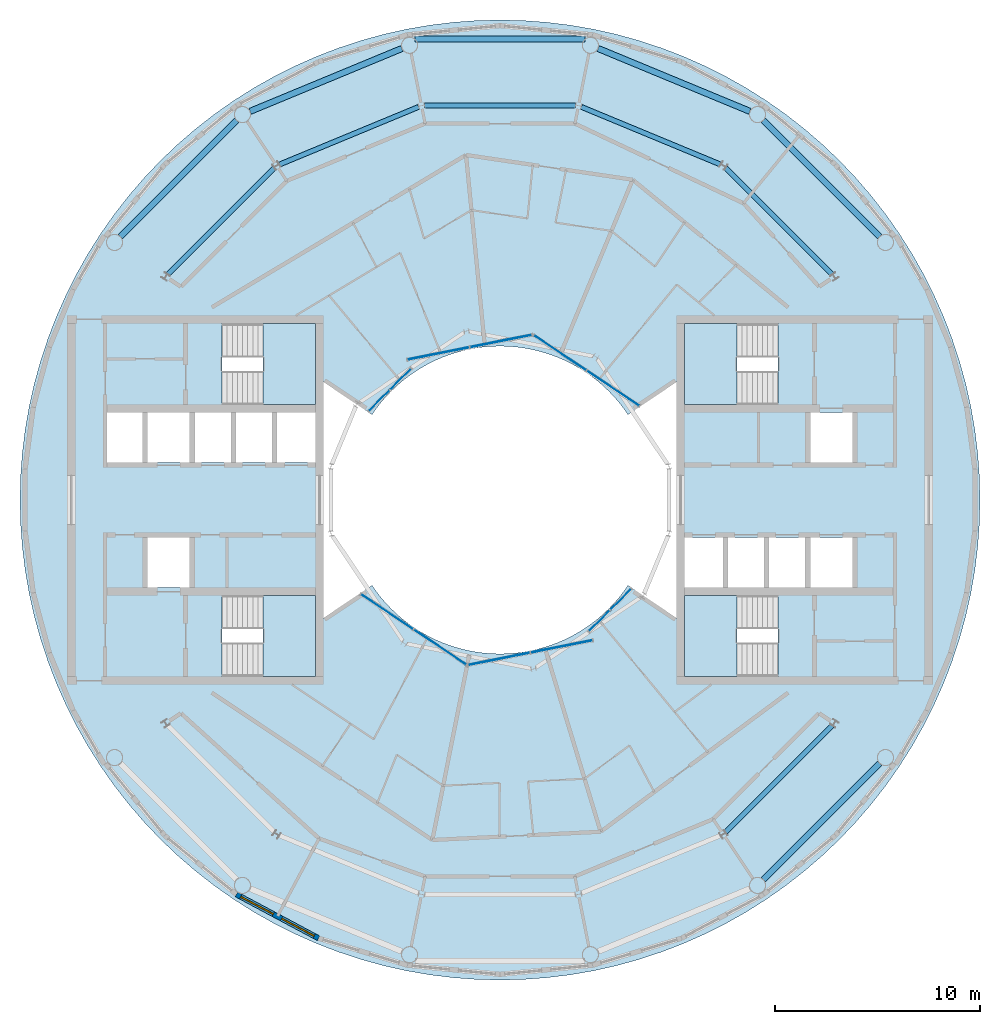
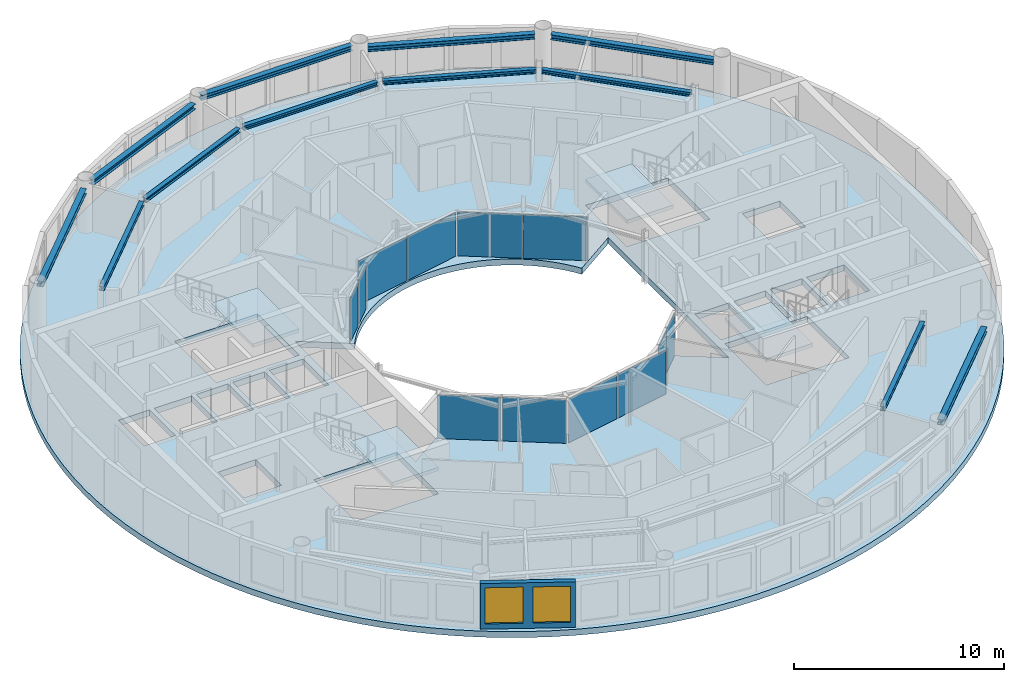
# One storey, part 7 of 17: 12 beams, 12 plates, 5 slabs, 2 windows, 1 wall, 2 openings, 10 elements without a shape of their own.
"""IFC4 building model written with IfcOpenShell, lengths in metres."""

from ifc_helpers import new_model, si_unit, direction, frame, frame_2d, origin, origin_2d, place, context, subcontext, project, spatial, polyline, rectangle, i_section, outline, extrude, material, layer, layer_set, material_profile, profile_set, type_object, element, fill, aggregate, save


model = new_model("IFC4")

# Units and contexts
model_context = context("Model", 3, precision=1e-05, world=origin(), true_north=direction((0.0, 1.0)))
body_context = subcontext(model_context, "Body", "Model", "MODEL_VIEW")
ifc_project = project(units=[si_unit("LENGTHUNIT", "METRE"), si_unit("AREAUNIT", "SQUARE_METRE"), si_unit("VOLUMEUNIT", "CUBIC_METRE"), si_unit("PLANEANGLEUNIT", "RADIAN"), si_unit("MASSUNIT", "GRAM", prefix="KILO")], contexts=[model_context])

# Site, building, storey
site_placement = place(None, origin())
site = spatial("IfcSite", under=ifc_project, at=site_placement, CompositionType="ELEMENT")
building_placement = place(site_placement, origin())
building = spatial("IfcBuilding", under=site, at=building_placement, Name="Maasbend Ring Residences", CompositionType="ELEMENT")
storey_placement = place(building_placement, frame((0.0, 0.0, 252.35009765625)))
storey = spatial("IfcBuildingStorey", under=building, at=storey_placement, Name="L73", CompositionType="ELEMENT", Elevation=252.35009765625)

# Beams
ifc_material_1 = material(Name="Steel S355J2", Category="steel")
ifc_material_profile_1 = material_profile(ifc_material_1, i_section(OverallWidth=0.239990234375, OverallDepth=0.22998046875, WebThickness=0.007568359375, FlangeThickness=0.011962890625, FilletRadius=0.02099609375, at=origin_2d()), Name="HEA 240")
ifc_profile_set_1 = profile_set([ifc_material_profile_1], Name="Steel S355J2")
beam_type_1 = type_object("IfcBeamType", Name="Corridor ring beam HEA 240", PredefinedType="BEAM", material=ifc_profile_set_1)
beam_1_placement = place(storey_placement, frame((16.188720703125, 10.997314453125, 2.534912109375), z_axis=(-0.707106781187, 0.707106781187, 0.0), x_axis=(-0.707106781187, -0.707106781187, 0.0)))
element("IfcBeam", 1, at=beam_1_placement, inside=storey, type_object=beam_type_1, Name="Corridor ring beam", PredefinedType="BEAM", context=body_context, shape_type="SweptSolid", body=[
    extrude(i_section(OverallWidth=0.239990234375, OverallDepth=0.22998046875, WebThickness=0.007568359375, FlangeThickness=0.011962890625, FilletRadius=0.02099609375, at=origin_2d()), origin(), (0.0, 0.0, 1.0), 7.341796875),
])
beam_2_placement = place(storey_placement, frame((10.747802734375, 16.355224609375, 2.534912109375), z_axis=(-0.923875784142, 0.382692481603, 0.0), x_axis=(-0.382692481603, -0.923875784142, 0.0)))
element("IfcBeam", 2, at=beam_2_placement, inside=storey, type_object=beam_type_1, Name="Corridor ring beam", PredefinedType="BEAM", context=body_context, shape_type="SweptSolid", body=[
    extrude(i_section(OverallWidth=0.239990234375, OverallDepth=0.22998046875, WebThickness=0.007568359375, FlangeThickness=0.011962890625, FilletRadius=0.02099609375, at=origin_2d()), origin(), (0.0, 0.0, 1.0), 7.341552734375),
])
beam_3_placement = place(storey_placement, frame((3.6708984375, 19.223388671875, 2.534912109375), z_axis=(-1.0, 0.0, 0.0), x_axis=(0.0, -1.0, 0.0)))
element("IfcBeam", 3, at=beam_3_placement, inside=storey, type_object=beam_type_1, Name="Corridor ring beam", PredefinedType="BEAM", context=body_context, shape_type="SweptSolid", body=[
    extrude(i_section(OverallWidth=0.239990234375, OverallDepth=0.22998046875, WebThickness=0.007568359375, FlangeThickness=0.011962890625, FilletRadius=0.02099609375, at=origin_2d()), origin(), (0.0, 0.0, 1.0), 7.341796875),
])
beam_4_placement = place(storey_placement, frame((-3.965087890625, 19.164794921875, 2.534912109375), z_axis=(-0.923875784142, -0.382692481603, 0.0), x_axis=(0.382692481603, -0.923875784142, 0.0)))
element("IfcBeam", 4, at=beam_4_placement, inside=storey, type_object=beam_type_1, Name="Corridor ring beam", PredefinedType="BEAM", context=body_context, shape_type="SweptSolid", body=[
    extrude(i_section(OverallWidth=0.239990234375, OverallDepth=0.22998046875, WebThickness=0.007568359375, FlangeThickness=0.011962890625, FilletRadius=0.02099609375, at=origin_2d()), origin(), (0.0, 0.0, 1.0), 7.341552734375),
])
for number, where, z_axis, x_axis, name in (
    (5, (-10.997314453125, 16.188720703125, 2.534912109375), (-0.707106781187, -0.707106781187, 0.0), (0.707106781187, -0.707106781187, 0.0), "Corridor ring beam"),
    (6, (10.997314453125, -16.188720703125, 2.534912109375), (0.707106781187, 0.707106781187, 0.0), (-0.707106781187, 0.707106781187, 0.0), "Corridor ring beam"),
):
    element("IfcBeam", number, at=place(storey_placement, frame(where, z_axis=z_axis, x_axis=x_axis)), inside=storey, type_object=beam_type_1, Name=name, PredefinedType="BEAM", context=body_context, shape_type="SweptSolid", body=[
        extrude(i_section(OverallWidth=0.239990234375, OverallDepth=0.22998046875, WebThickness=0.007568359375, FlangeThickness=0.011962890625, FilletRadius=0.02099609375, at=origin_2d()), origin(), (0.0, 0.0, 1.0), 7.341796875),
    ])
ifc_material_2 = material(Name="Steel S355J2", Category="steel")
ifc_material_profile_2 = material_profile(ifc_material_2, i_section(OverallWidth=0.300048828125, OverallDepth=0.300048828125, WebThickness=0.010986328125, FlangeThickness=0.01904296875, FilletRadius=0.027099609375, at=origin_2d()), Name="HEB 300")
ifc_profile_set_2 = profile_set([ifc_material_profile_2], Name="Steel S355J2")
beam_type_2 = type_object("IfcBeamType", Name="Spandrel ring beam HEB 300", PredefinedType="SPANDREL", material=ifc_profile_set_2)
beam_5_placement = place(storey_placement, frame((18.50390625, 12.84326171875, 2.5), z_axis=(-0.707106781187, 0.707106781187, 0.0), x_axis=(-0.707106781187, -0.707106781187, 0.0)))
element("IfcBeam", 7, at=beam_5_placement, inside=storey, type_object=beam_type_2, Name="Spandrel ring beam", PredefinedType="SPANDREL", context=body_context, shape_type="SweptSolid", body=[
    extrude(i_section(OverallWidth=0.300048828125, OverallDepth=0.300048828125, WebThickness=0.010986328125, FlangeThickness=0.01904296875, FilletRadius=0.027099609375, at=origin_2d()), origin(), (0.0, 0.0, 1.0), 8.00537109375),
])
beam_6_placement = place(storey_placement, frame((12.180419921875, 18.94677734375, 2.5), z_axis=(-0.923887850638, 0.382663350013, 0.0), x_axis=(-0.382663350013, -0.923887850638, 0.0)))
element("IfcBeam", 8, at=beam_6_placement, inside=storey, type_object=beam_type_2, Name="Spandrel ring beam", PredefinedType="SPANDREL", context=body_context, shape_type="SweptSolid", body=[
    extrude(i_section(OverallWidth=0.300048828125, OverallDepth=0.300048828125, WebThickness=0.010986328125, FlangeThickness=0.01904296875, FilletRadius=0.027099609375, at=origin_2d()), origin(), (0.0, 0.0, 1.0), 8.005126953125),
])
beam_7_placement = place(storey_placement, frame((4.152587890625, 22.4658203125, 2.5), z_axis=(-1.0, 0.0, 0.0), x_axis=(0.0, -1.0, 0.0)))
element("IfcBeam", 9, at=beam_7_placement, inside=storey, type_object=beam_type_2, Name="Spandrel ring beam", PredefinedType="SPANDREL", context=body_context, shape_type="SweptSolid", body=[
    extrude(i_section(OverallWidth=0.300048828125, OverallDepth=0.300048828125, WebThickness=0.010986328125, FlangeThickness=0.01904296875, FilletRadius=0.027099609375, at=origin_2d()), origin(), (0.0, 0.0, 1.0), 8.30517578125),
])
beam_8_placement = place(storey_placement, frame((-4.78466796875, 22.010009765625, 2.5), z_axis=(-0.923887850638, -0.382663350013, 0.0), x_axis=(0.382663350013, -0.923887850638, 0.0)))
element("IfcBeam", 10, at=beam_8_placement, inside=storey, type_object=beam_type_2, Name="Spandrel ring beam", PredefinedType="SPANDREL", context=body_context, shape_type="SweptSolid", body=[
    extrude(i_section(OverallWidth=0.300048828125, OverallDepth=0.300048828125, WebThickness=0.010986328125, FlangeThickness=0.01904296875, FilletRadius=0.027099609375, at=origin_2d()), origin(), (0.0, 0.0, 1.0), 8.005126953125),
])
for number, where, z_axis, x_axis, name in (
    (11, (-12.84326171875, 18.50390625, 2.5), (-0.707106781187, -0.707106781187, 0.0), (0.707106781187, -0.707106781187, 0.0), "Spandrel ring beam"),
    (12, (12.84326171875, -18.50390625, 2.5), (0.707106781187, 0.707106781187, 0.0), (-0.707106781187, 0.707106781187, 0.0), "Spandrel ring beam"),
):
    element("IfcBeam", number, at=place(storey_placement, frame(where, z_axis=z_axis, x_axis=x_axis)), inside=storey, type_object=beam_type_2, Name=name, PredefinedType="SPANDREL", context=body_context, shape_type="SweptSolid", body=[
        extrude(i_section(OverallWidth=0.300048828125, OverallDepth=0.300048828125, WebThickness=0.010986328125, FlangeThickness=0.01904296875, FilletRadius=0.027099609375, at=origin_2d()), origin(), (0.0, 0.0, 1.0), 8.00537109375),
    ])

# Stair, slab
ifc_material_3 = material(Name="Concrete C40/50", Category="concrete")
stair_type = type_object("IfcStairType", Name="CORE STAIR 18 RISERS", PredefinedType="HALF_TURN_STAIR", material=ifc_material_3)
stair_1_placement = place(storey_placement, origin())
stair_1 = element("IfcStair", 13, at=stair_1_placement, inside=storey, type_object=stair_type, Name="L73 Exit stair ST-E1", PredefinedType="HALF_TURN_STAIR")
ifc_material_4 = material(Name="Concrete C40/50", Category="concrete")
ifc_layer_1 = layer(ifc_material_4, 0.199951171875)
ifc_layer_set_1 = layer_set([ifc_layer_1], Name="Concrete C40/50")
slab_type_1 = type_object("IfcSlabType", Name="CORE STAIR LANDING 200", PredefinedType="LANDING", material=ifc_layer_set_1)
slab_1_placement = place(storey_placement, frame((0.0, 0.0, 1.324951171875)))
slab_1 = element("IfcSlab", 14, at=slab_1_placement, type_object=slab_type_1, Name="ST-E1 landing 1", PredefinedType="LANDING", context=body_context, shape_type="SweptSolid", body=[
    extrude(outline(polyline([(11.550048828125, 8.60009765625), (9.0, 8.60009765625), (9.0, 4.64990234375), (11.550048828125, 4.64990234375), (11.550048828125, 8.60009765625)])), origin(), (0.0, 0.0, 1.0), 0.199951171875),
])
aggregate(stair_1, [slab_1])

stair_2_placement = place(storey_placement, origin())
stair_2 = element("IfcStair", 15, at=stair_2_placement, inside=storey, type_object=stair_type, Name="L73 Exit stair ST-E2", PredefinedType="HALF_TURN_STAIR")
slab_2_placement = place(storey_placement, frame((0.0, 0.0, 1.324951171875)))
slab_2 = element("IfcSlab", 16, at=slab_2_placement, type_object=slab_type_1, Name="ST-E2 landing 1", PredefinedType="LANDING", context=body_context, shape_type="SweptSolid", body=[
    extrude(outline(polyline([(11.550048828125, -4.64990234375), (9.0, -4.64990234375), (9.0, -8.60009765625), (11.550048828125, -8.60009765625), (11.550048828125, -4.64990234375)])), origin(), (0.0, 0.0, 1.0), 0.199951171875),
])
aggregate(stair_2, [slab_2])

stair_3_placement = place(storey_placement, origin())
stair_3 = element("IfcStair", 17, at=stair_3_placement, inside=storey, type_object=stair_type, Name="L73 Exit stair ST-W1", PredefinedType="HALF_TURN_STAIR")
slab_3_placement = place(storey_placement, frame((0.0, 0.0, 1.324951171875)))
slab_3 = element("IfcSlab", 18, at=slab_3_placement, type_object=slab_type_1, Name="ST-W1 landing 1", PredefinedType="LANDING", context=body_context, shape_type="SweptSolid", body=[
    extrude(outline(polyline([(-11.550048828125, -8.60009765625), (-9.0, -8.60009765625), (-9.0, -4.64990234375), (-11.550048828125, -4.64990234375), (-11.550048828125, -8.60009765625)])), origin(), (0.0, 0.0, 1.0), 0.199951171875),
])
aggregate(stair_3, [slab_3])

stair_4_placement = place(storey_placement, origin())
stair_4 = element("IfcStair", 19, at=stair_4_placement, inside=storey, type_object=stair_type, Name="L73 Exit stair ST-W2", PredefinedType="HALF_TURN_STAIR")
slab_4_placement = place(storey_placement, frame((0.0, 0.0, 1.324951171875)))
slab_4 = element("IfcSlab", 20, at=slab_4_placement, type_object=slab_type_1, Name="ST-W2 landing 1", PredefinedType="LANDING", context=body_context, shape_type="SweptSolid", body=[
    extrude(outline(polyline([(-11.550048828125, 4.64990234375), (-9.0, 4.64990234375), (-9.0, 8.60009765625), (-11.550048828125, 8.60009765625), (-11.550048828125, 4.64990234375)])), origin(), (0.0, 0.0, 1.0), 0.199951171875),
])
aggregate(stair_4, [slab_4])

# Curtain wall, plates
ifc_material_5 = material(Name="Aluminium and clear glass", Category="aluminium")
ifc_layer_2 = layer(ifc_material_5, 0.179931640625)
ifc_layer_set_2 = layer_set([ifc_layer_2], Name="CW-W")
curtain_wall_type = type_object("IfcCurtainWallType", Name="CW-W", PredefinedType="NOTDEFINED", material=ifc_layer_set_2)
curtain_wall_1_placement = place(storey_placement, origin())
curtain_wall_1 = element("IfcCurtainWall", 21, at=curtain_wall_1_placement, inside=storey, type_object=curtain_wall_type, Name="Well curtain wall N1", PredefinedType="NOTDEFINED")
ifc_material_6 = material(Name="Glass clear laminated", Category="glass")
ifc_layer_3 = layer(ifc_material_6, 0.031982421875)
ifc_layer_set_3 = layer_set([ifc_layer_3], Name="CWP-W")
plate_type = type_object("IfcPlateType", Name="CWP-W", PredefinedType="CURTAIN_PANEL", material=ifc_layer_set_3)
plate_1_placement = place(storey_placement, frame((5.51123046875, 5.44580078125, 0.0), z_axis=(0.0, 0.0, 1.0), x_axis=(-0.831469612303, 0.55557023302, 0.0)))
plate_1 = element("IfcPlate", 22, at=plate_1_placement, type_object=plate_type, Name="Glass panel well face", PredefinedType="CURTAIN_PANEL", context=body_context, shape_type="SweptSolid", body=[
    extrude(rectangle(XDim=3.053955078125, YDim=0.031982421875, at=origin_2d()), origin(), (0.0, 0.0, 1.0), 2.530029296875),
])
plate_2_placement = place(storey_placement, frame((2.922119140625, 7.17578125, 0.0), z_axis=(0.0, 0.0, 1.0), x_axis=(-0.831469612303, 0.55557023302, 0.0)))
plate_2 = element("IfcPlate", 23, at=plate_2_placement, type_object=plate_type, Name="Glass panel well face", PredefinedType="CURTAIN_PANEL", context=body_context, shape_type="SweptSolid", body=[
    extrude(rectangle(XDim=3.053955078125, YDim=0.031982421875, at=origin_2d()), origin(), (0.0, 0.0, 1.0), 2.530029296875),
])
aggregate(curtain_wall_1, [plate_1, plate_2])

curtain_wall_2_placement = place(storey_placement, origin())
curtain_wall_2 = element("IfcCurtainWall", 24, at=curtain_wall_2_placement, inside=storey, type_object=curtain_wall_type, Name="Well curtain wall N2", PredefinedType="NOTDEFINED")
plate_3_placement = place(storey_placement, frame((0.04638671875, 7.747802734375, 0.0), z_axis=(0.0, 0.0, 1.0), x_axis=(-0.980785280403, -0.195090322016, 0.0)))
plate_3 = element("IfcPlate", 25, at=plate_3_placement, type_object=plate_type, Name="Glass panel well face", PredefinedType="CURTAIN_PANEL", context=body_context, shape_type="SweptSolid", body=[
    extrude(rectangle(XDim=3.053955078125, YDim=0.031982421875, at=origin_2d()), origin(), (0.0, 0.0, 1.0), 2.530029296875),
])
plate_4_placement = place(storey_placement, frame((-3.0078125, 7.140380859375, 0.0), z_axis=(0.0, 0.0, 1.0), x_axis=(-0.980785280403, -0.195090322016, 0.0)))
plate_4 = element("IfcPlate", 26, at=plate_4_placement, type_object=plate_type, Name="Glass panel well face", PredefinedType="CURTAIN_PANEL", context=body_context, shape_type="SweptSolid", body=[
    extrude(rectangle(XDim=3.053955078125, YDim=0.031982421875, at=origin_2d()), origin(), (0.0, 0.0, 1.0), 2.530029296875),
])
aggregate(curtain_wall_2, [plate_3, plate_4])

curtain_wall_3_placement = place(storey_placement, origin())
curtain_wall_3 = element("IfcCurtainWall", 27, at=curtain_wall_3_placement, inside=storey, type_object=curtain_wall_type, Name="Well curtain wall N3", PredefinedType="NOTDEFINED")
plate_5_placement = place(storey_placement, frame((-4.84375, 5.89013671875, 0.0), z_axis=(0.0, 0.0, 1.0), x_axis=(-0.707106781187, -0.707106781187, 0.0)))
plate_5 = element("IfcPlate", 28, at=plate_5_placement, type_object=plate_type, Name="Glass panel well face", PredefinedType="CURTAIN_PANEL", context=body_context, shape_type="SweptSolid", body=[
    extrude(rectangle(XDim=1.419677734375, YDim=0.031982421875, at=origin_2d()), origin(), (0.0, 0.0, 1.0), 2.530029296875),
])
plate_6_placement = place(storey_placement, frame((-5.89013671875, 4.84375, 0.0), z_axis=(0.0, 0.0, 1.0), x_axis=(-0.707106781187, -0.707106781187, 0.0)))
plate_6 = element("IfcPlate", 29, at=plate_6_placement, type_object=plate_type, Name="Glass panel well face", PredefinedType="CURTAIN_PANEL", context=body_context, shape_type="SweptSolid", body=[
    extrude(rectangle(XDim=1.419677734375, YDim=0.031982421875, at=origin_2d()), origin(), (0.0, 0.0, 1.0), 2.530029296875),
])
aggregate(curtain_wall_3, [plate_5, plate_6])

curtain_wall_4_placement = place(storey_placement, origin())
curtain_wall_4 = element("IfcCurtainWall", 30, at=curtain_wall_4_placement, inside=storey, type_object=curtain_wall_type, Name="Well curtain wall S1", PredefinedType="NOTDEFINED")
plate_7_placement = place(storey_placement, frame((-5.51123046875, -5.44580078125, 0.0), z_axis=(0.0, 0.0, 1.0), x_axis=(0.831469612303, -0.55557023302, 0.0)))
plate_7 = element("IfcPlate", 31, at=plate_7_placement, type_object=plate_type, Name="Glass panel well face", PredefinedType="CURTAIN_PANEL", context=body_context, shape_type="SweptSolid", body=[
    extrude(rectangle(XDim=3.053955078125, YDim=0.031982421875, at=origin_2d()), origin(), (0.0, 0.0, 1.0), 2.530029296875),
])
plate_8_placement = place(storey_placement, frame((-2.922119140625, -7.17578125, 0.0), z_axis=(0.0, 0.0, 1.0), x_axis=(0.831469612303, -0.55557023302, 0.0)))
plate_8 = element("IfcPlate", 32, at=plate_8_placement, type_object=plate_type, Name="Glass panel well face", PredefinedType="CURTAIN_PANEL", context=body_context, shape_type="SweptSolid", body=[
    extrude(rectangle(XDim=3.053955078125, YDim=0.031982421875, at=origin_2d()), origin(), (0.0, 0.0, 1.0), 2.530029296875),
])
aggregate(curtain_wall_4, [plate_7, plate_8])

curtain_wall_5_placement = place(storey_placement, origin())
curtain_wall_5 = element("IfcCurtainWall", 33, at=curtain_wall_5_placement, inside=storey, type_object=curtain_wall_type, Name="Well curtain wall S2", PredefinedType="NOTDEFINED")
plate_9_placement = place(storey_placement, frame((-0.04638671875, -7.747802734375, 0.0), z_axis=(0.0, 0.0, 1.0), x_axis=(0.980785280403, 0.195090322016, 0.0)))
plate_9 = element("IfcPlate", 34, at=plate_9_placement, type_object=plate_type, Name="Glass panel well face", PredefinedType="CURTAIN_PANEL", context=body_context, shape_type="SweptSolid", body=[
    extrude(rectangle(XDim=3.053955078125, YDim=0.031982421875, at=origin_2d()), origin(), (0.0, 0.0, 1.0), 2.530029296875),
])
plate_10_placement = place(storey_placement, frame((3.0078125, -7.140380859375, 0.0), z_axis=(0.0, 0.0, 1.0), x_axis=(0.980785280403, 0.195090322016, 0.0)))
plate_10 = element("IfcPlate", 35, at=plate_10_placement, type_object=plate_type, Name="Glass panel well face", PredefinedType="CURTAIN_PANEL", context=body_context, shape_type="SweptSolid", body=[
    extrude(rectangle(XDim=3.053955078125, YDim=0.031982421875, at=origin_2d()), origin(), (0.0, 0.0, 1.0), 2.530029296875),
])
aggregate(curtain_wall_5, [plate_9, plate_10])

curtain_wall_6_placement = place(storey_placement, origin())
curtain_wall_6 = element("IfcCurtainWall", 36, at=curtain_wall_6_placement, inside=storey, type_object=curtain_wall_type, Name="Well curtain wall S3", PredefinedType="NOTDEFINED")
plate_11_placement = place(storey_placement, frame((4.84375, -5.89013671875, 0.0), z_axis=(0.0, 0.0, 1.0), x_axis=(0.707106781187, 0.707106781187, 0.0)))
plate_11 = element("IfcPlate", 37, at=plate_11_placement, type_object=plate_type, Name="Glass panel well face", PredefinedType="CURTAIN_PANEL", context=body_context, shape_type="SweptSolid", body=[
    extrude(rectangle(XDim=1.419677734375, YDim=0.031982421875, at=origin_2d()), origin(), (0.0, 0.0, 1.0), 2.530029296875),
])
plate_12_placement = place(storey_placement, frame((5.89013671875, -4.84375, 0.0), z_axis=(0.0, 0.0, 1.0), x_axis=(0.707106781187, 0.707106781187, 0.0)))
plate_12 = element("IfcPlate", 38, at=plate_12_placement, type_object=plate_type, Name="Glass panel well face", PredefinedType="CURTAIN_PANEL", context=body_context, shape_type="SweptSolid", body=[
    extrude(rectangle(XDim=1.419677734375, YDim=0.031982421875, at=origin_2d()), origin(), (0.0, 0.0, 1.0), 2.530029296875),
])
aggregate(curtain_wall_6, [plate_11, plate_12])

# Slab
ifc_material_7 = material(Name="Concrete C40/50", Category="concrete")
ifc_layer_4 = layer(ifc_material_7, 0.35009765625)
ifc_layer_set_4 = layer_set([ifc_layer_4], Name="Concrete C40/50")
slab_type_2 = type_object("IfcSlabType", Name="Post-tensioned flat plate 350", PredefinedType="FLOOR", material=ifc_layer_set_4)
slab_5_placement = place(storey_placement, frame((0.0, 0.0, -0.35009765625)))
element("IfcSlab", 39, at=slab_5_placement, inside=storey, type_object=slab_type_2, Name="Floor slab L73", PredefinedType="FLOOR", context=body_context, shape_type="SweptSolid", body=[
    extrude(outline(polyline([(22.69873046875, -5.685791015625), (22.950439453125, -4.565185546875), (23.146728515625, -3.43359375), (23.287353515625, -2.293701171875), (23.371826171875, -1.148193359375), (23.39990234375, 0.0), (23.371826171875, 1.148193359375), (23.287353515625, 2.293701171875), (23.146728515625, 3.43359375), (22.950439453125, 4.565185546875), (22.69873046875, 5.685791015625), (22.392333984375, 6.792724609375), (22.031982421875, 7.88330078125), (21.618896484375, 8.954833984375), (21.1533203125, 10.0048828125), (20.636962890625, 11.03076171875), (20.07080078125, 12.030029296875), (19.456298828125, 13.000244140625), (18.795166015625, 13.939453125), (18.08837890625, 14.8447265625), (17.33837890625, 15.714599609375), (16.54638671875, 16.54638671875), (15.714599609375, 17.33837890625), (14.8447265625, 18.08837890625), (13.939453125, 18.795166015625), (13.000244140625, 19.456298828125), (12.030029296875, 20.07080078125), (11.03076171875, 20.636962890625), (10.0048828125, 21.1533203125), (8.954833984375, 21.618896484375), (7.88330078125, 22.031982421875), (6.792724609375, 22.392333984375), (5.685791015625, 22.69873046875), (4.565185546875, 22.950439453125), (3.43359375, 23.146728515625), (2.293701171875, 23.287353515625), (1.148193359375, 23.371826171875), (0.0, 23.39990234375), (-1.148193359375, 23.371826171875), (-2.293701171875, 23.287353515625), (-3.43359375, 23.146728515625), (-4.565185546875, 22.950439453125), (-5.685791015625, 22.69873046875), (-6.792724609375, 22.392333984375), (-7.88330078125, 22.031982421875), (-8.954833984375, 21.618896484375), (-10.0048828125, 21.1533203125), (-11.03076171875, 20.636962890625), (-12.030029296875, 20.07080078125), (-13.000244140625, 19.456298828125), (-13.939453125, 18.795166015625), (-14.8447265625, 18.08837890625), (-15.714599609375, 17.33837890625), (-16.54638671875, 16.54638671875), (-17.33837890625, 15.714599609375), (-18.08837890625, 14.8447265625), (-18.795166015625, 13.939453125), (-19.456298828125, 13.000244140625), (-20.07080078125, 12.030029296875), (-20.636962890625, 11.03076171875), (-21.1533203125, 10.0048828125), (-21.618896484375, 8.954833984375), (-22.031982421875, 7.88330078125), (-22.392333984375, 6.792724609375), (-22.69873046875, 5.685791015625), (-22.950439453125, 4.565185546875), (-23.146728515625, 3.43359375), (-23.287353515625, 2.293701171875), (-23.371826171875, 1.148193359375), (-23.39990234375, 0.0), (-23.371826171875, -1.148193359375), (-23.287353515625, -2.293701171875), (-23.146728515625, -3.43359375), (-22.950439453125, -4.565185546875), (-22.69873046875, -5.685791015625), (-22.392333984375, -6.792724609375), (-22.031982421875, -7.88330078125), (-21.618896484375, -8.954833984375), (-21.1533203125, -10.0048828125), (-20.636962890625, -11.03076171875), (-20.07080078125, -12.030029296875), (-19.456298828125, -13.000244140625), (-18.795166015625, -13.939453125), (-18.08837890625, -14.8447265625), (-17.33837890625, -15.714599609375), (-16.54638671875, -16.54638671875), (-15.714599609375, -17.33837890625), (-14.8447265625, -18.08837890625), (-13.939453125, -18.795166015625), (-13.000244140625, -19.456298828125), (-12.030029296875, -20.07080078125), (-11.03076171875, -20.636962890625), (-10.0048828125, -21.1533203125), (-8.954833984375, -21.618896484375), (-7.88330078125, -22.031982421875), (-6.792724609375, -22.392333984375), (-5.685791015625, -22.69873046875), (-4.565185546875, -22.950439453125), (-3.43359375, -23.146728515625), (-2.293701171875, -23.287353515625), (-1.148193359375, -23.371826171875), (0.0, -23.39990234375), (1.148193359375, -23.371826171875), (2.293701171875, -23.287353515625), (3.43359375, -23.146728515625), (4.565185546875, -22.950439453125), (5.685791015625, -22.69873046875), (6.792724609375, -22.392333984375), (7.88330078125, -22.031982421875), (8.954833984375, -21.618896484375), (10.0048828125, -21.1533203125), (11.03076171875, -20.636962890625), (12.030029296875, -20.07080078125), (13.000244140625, -19.456298828125), (13.939453125, -18.795166015625), (14.8447265625, -18.08837890625), (15.714599609375, -17.33837890625), (16.54638671875, -16.54638671875), (17.33837890625, -15.714599609375), (18.08837890625, -14.8447265625), (18.795166015625, -13.939453125), (19.456298828125, -13.000244140625), (20.07080078125, -12.030029296875), (20.636962890625, -11.03076171875), (21.1533203125, -10.0048828125), (21.618896484375, -8.954833984375), (22.031982421875, -7.88330078125), (22.392333984375, -6.792724609375), (22.69873046875, -5.685791015625)]), holes=[polyline([(15.125, 1.824951171875), (15.125, 4.27490234375), (17.175048828125, 4.27490234375), (17.175048828125, 1.824951171875), (15.125, 1.824951171875)]), polyline([(15.125, -4.27490234375), (15.125, -1.824951171875), (17.175048828125, -1.824951171875), (17.175048828125, -4.27490234375), (15.125, -4.27490234375)]), polyline([(13.125, -4.27490234375), (13.125, -1.824951171875), (14.875, -1.824951171875), (14.875, -4.27490234375), (13.125, -4.27490234375)]), polyline([(13.550048828125, 8.60009765625), (13.550048828125, 4.64990234375), (9.0, 4.64990234375), (9.0, 8.60009765625), (13.550048828125, 8.60009765625)]), polyline([(13.550048828125, -4.64990234375), (13.550048828125, -8.60009765625), (9.0, -8.60009765625), (9.0, -4.64990234375), (13.550048828125, -4.64990234375)]), polyline([(11.125, -4.27490234375), (11.125, -1.824951171875), (12.875, -1.824951171875), (12.875, -4.27490234375), (11.125, -4.27490234375)]), polyline([(9.0, -4.27490234375), (9.0, -1.824951171875), (10.875, -1.824951171875), (10.875, -4.27490234375), (9.0, -4.27490234375)]), polyline([(6.024169921875, 4.4677734375), (6.236083984375, 4.166748046875), (8.60009765625, 5.746337890625), (8.60009765625, -5.746337890625), (6.236083984375, -4.166748046875), (6.024169921875, -4.4677734375), (5.797607421875, -4.7578125), (5.55712890625, -5.03662109375), (5.30322265625, -5.30322265625), (5.03662109375, -5.55712890625), (4.7578125, -5.797607421875), (4.4677734375, -6.024169921875), (4.166748046875, -6.236083984375), (3.855712890625, -6.43310546875), (3.535400390625, -6.614501953125), (3.206787109375, -6.77978515625), (2.8701171875, -6.92919921875), (2.526611328125, -7.0615234375), (2.177001953125, -7.177001953125), (1.822509765625, -7.275146484375), (1.463134765625, -7.35595703125), (1.1005859375, -7.418701171875), (0.735107421875, -7.4638671875), (0.367919921875, -7.490966796875), (0.0, -7.5), (-0.367919921875, -7.490966796875), (-0.735107421875, -7.4638671875), (-1.1005859375, -7.418701171875), (-1.463134765625, -7.35595703125), (-1.822509765625, -7.275146484375), (-2.177001953125, -7.177001953125), (-2.526611328125, -7.0615234375), (-2.8701171875, -6.92919921875), (-3.206787109375, -6.77978515625), (-3.535400390625, -6.614501953125), (-3.855712890625, -6.43310546875), (-4.166748046875, -6.236083984375), (-4.4677734375, -6.024169921875), (-4.7578125, -5.797607421875), (-5.03662109375, -5.55712890625), (-5.30322265625, -5.30322265625), (-5.55712890625, -5.03662109375), (-5.797607421875, -4.7578125), (-6.024169921875, -4.4677734375), (-6.236083984375, -4.166748046875), (-8.60009765625, -5.746337890625), (-8.60009765625, 5.746337890625), (-6.236083984375, 4.166748046875), (-6.024169921875, 4.4677734375), (-5.797607421875, 4.7578125), (-5.55712890625, 5.03662109375), (-5.30322265625, 5.30322265625), (-5.03662109375, 5.55712890625), (-4.7578125, 5.797607421875), (-4.4677734375, 6.024169921875), (-4.166748046875, 6.236083984375), (-3.855712890625, 6.43310546875), (-3.535400390625, 6.614501953125), (-3.206787109375, 6.77978515625), (-2.8701171875, 6.92919921875), (-2.526611328125, 7.0615234375), (-2.177001953125, 7.177001953125), (-1.822509765625, 7.275146484375), (-1.463134765625, 7.35595703125), (-1.1005859375, 7.418701171875), (-0.735107421875, 7.4638671875), (-0.367919921875, 7.490966796875), (0.0, 7.5), (0.367919921875, 7.490966796875), (0.735107421875, 7.4638671875), (1.1005859375, 7.418701171875), (1.463134765625, 7.35595703125), (1.822509765625, 7.275146484375), (2.177001953125, 7.177001953125), (2.526611328125, 7.0615234375), (2.8701171875, 6.92919921875), (3.206787109375, 6.77978515625), (3.535400390625, 6.614501953125), (3.855712890625, 6.43310546875), (4.166748046875, 6.236083984375), (4.4677734375, 6.024169921875), (4.7578125, 5.797607421875), (5.03662109375, 5.55712890625), (5.30322265625, 5.30322265625), (5.55712890625, 5.03662109375), (5.797607421875, 4.7578125), (6.024169921875, 4.4677734375)]), polyline([(-13.550048828125, 4.64990234375), (-13.550048828125, 8.60009765625), (-9.0, 8.60009765625), (-9.0, 4.64990234375), (-13.550048828125, 4.64990234375)]), polyline([(-9.0, -8.60009765625), (-13.550048828125, -8.60009765625), (-13.550048828125, -4.64990234375), (-9.0, -4.64990234375), (-9.0, -8.60009765625)]), polyline([(-9.0, 4.27490234375), (-9.0, 1.824951171875), (-10.875, 1.824951171875), (-10.875, 4.27490234375), (-9.0, 4.27490234375)]), polyline([(-11.125, 4.27490234375), (-11.125, 1.824951171875), (-12.875, 1.824951171875), (-12.875, 4.27490234375), (-11.125, 4.27490234375)]), polyline([(-13.125, 4.27490234375), (-13.125, 1.824951171875), (-14.875, 1.824951171875), (-14.875, 4.27490234375), (-13.125, 4.27490234375)]), polyline([(-15.125, 4.27490234375), (-15.125, 1.824951171875), (-17.175048828125, 1.824951171875), (-17.175048828125, 4.27490234375), (-15.125, 4.27490234375)]), polyline([(-15.125, -1.824951171875), (-15.125, -4.27490234375), (-17.175048828125, -4.27490234375), (-17.175048828125, -1.824951171875), (-15.125, -1.824951171875)]), polyline([(-17.425048828125, 4.27490234375), (-17.425048828125, 1.824951171875), (-19.14990234375, 1.824951171875), (-19.14990234375, 4.27490234375), (-17.425048828125, 4.27490234375)])]), origin(), (0.0, 0.0, 1.0), 0.35009765625),
])

# Wall, openings, windows
ifc_material_8 = material(Name="Aluminium clad insulated panel", Category="aluminium")
ifc_layer_5 = layer(ifc_material_8, 0.25)
ifc_layer_set_5 = layer_set([ifc_layer_5], Name="EW-GL")
wall_type = type_object("IfcWallType", Name="EW-GL", PredefinedType="SOLIDWALL", material=ifc_layer_set_5)
wall_placement = place(storey_placement, frame((-12.847900390625, -19.22802734375, 0.0), z_axis=(0.0, 0.0, 1.0), x_axis=(0.881912752543, -0.471412660947, 0.0)))
wall = element("IfcWall", 40, at=wall_placement, inside=storey, type_object=wall_type, Name="External wall S03", PredefinedType="SOLIDWALL", context=body_context, shape_type="SweptSolid", body=[
    extrude(rectangle(XDim=4.533203125, YDim=0.25, at=frame_2d((2.2666015625, 0.0))), origin(), (0.0, 0.0, 1.0), 2.64990234375),
])
opening_1_placement = place(wall_placement, frame((0.236083984375, 0.0, 0.300048828125)))
opening_1 = element("IfcOpeningElement", 41, at=opening_1_placement, cuts=wall, Name="Opening W-BX", PredefinedType="OPENING", context=body_context, shape_type="SweptSolid", body=[
    extrude(rectangle(XDim=1.800048828125, YDim=2.10009765625, at=frame_2d((0.89990234375, 1.050048828125))), frame((0.0, 0.135009765625, 0.0), z_axis=(0.0, -1.0, 0.0), x_axis=(1.0, 0.0, 0.0)), (0.0, 0.0, 1.0), 0.27001953125),
])
opening_2_placement = place(wall_placement, frame((2.497314453125, 0.0, 0.300048828125)))
opening_2 = element("IfcOpeningElement", 42, at=opening_2_placement, cuts=wall, Name="Opening W-BX", PredefinedType="OPENING", context=body_context, shape_type="SweptSolid", body=[
    extrude(rectangle(XDim=1.800048828125, YDim=2.10009765625, at=frame_2d((0.89990234375, 1.050048828125))), frame((0.0, 0.135009765625, 0.0), z_axis=(0.0, -1.0, 0.0), x_axis=(1.0, 0.0, 0.0)), (0.0, 0.0, 1.0), 0.27001953125),
])
ifc_material_9 = material(Name="Aluminium and clear glass", Category="aluminium")
window_type = type_object("IfcWindowType", Name="W-BX", PartitioningType="DOUBLE_PANEL_VERTICAL", PredefinedType="WINDOW", material=ifc_material_9)
window_1_placement = place(opening_1_placement, origin())
window_1 = element("IfcWindow", 43, at=window_1_placement, inside=storey, type_object=window_type, Name="Window S05", OverallHeight=2.10009765625, OverallWidth=1.800048828125, PartitioningType="SINGLE_PANEL", PredefinedType="WINDOW", context=body_context, shape_type="SweptSolid", body=[
    extrude(rectangle(XDim=1.800048828125, YDim=2.10009765625, at=frame_2d((0.89990234375, 1.050048828125))), frame((0.0, 0.030029296875, 0.0), z_axis=(0.0, -1.0, 0.0), x_axis=(1.0, 0.0, 0.0)), (0.0, 0.0, 1.0), 0.06005859375),
])
fill(opening_1, window_1)
window_2_placement = place(opening_2_placement, origin())
window_2 = element("IfcWindow", 44, at=window_2_placement, inside=storey, type_object=window_type, Name="Window S06", OverallHeight=2.10009765625, OverallWidth=1.800048828125, PartitioningType="SINGLE_PANEL", PredefinedType="WINDOW", context=body_context, shape_type="SweptSolid", body=[
    extrude(rectangle(XDim=1.800048828125, YDim=2.10009765625, at=frame_2d((0.89990234375, 1.050048828125))), frame((0.0, 0.030029296875, 0.0), z_axis=(0.0, -1.0, 0.0), x_axis=(1.0, 0.0, 0.0)), (0.0, 0.0, 1.0), 0.06005859375),
])
fill(opening_2, window_2)

save(model, "model.ifc")
